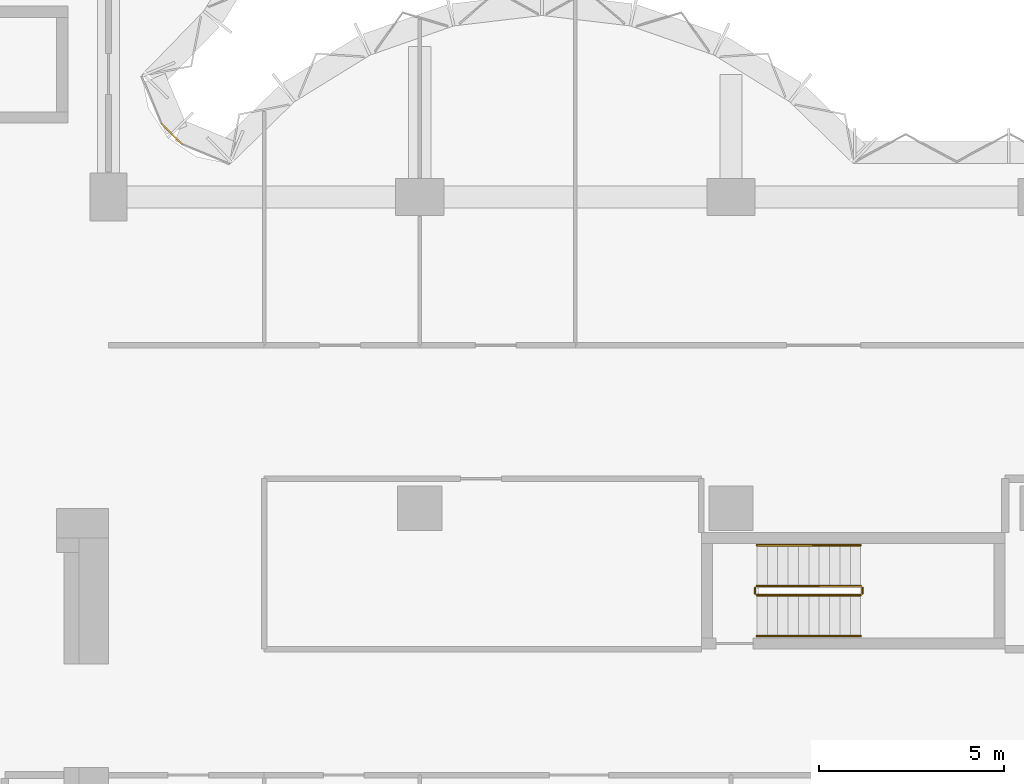
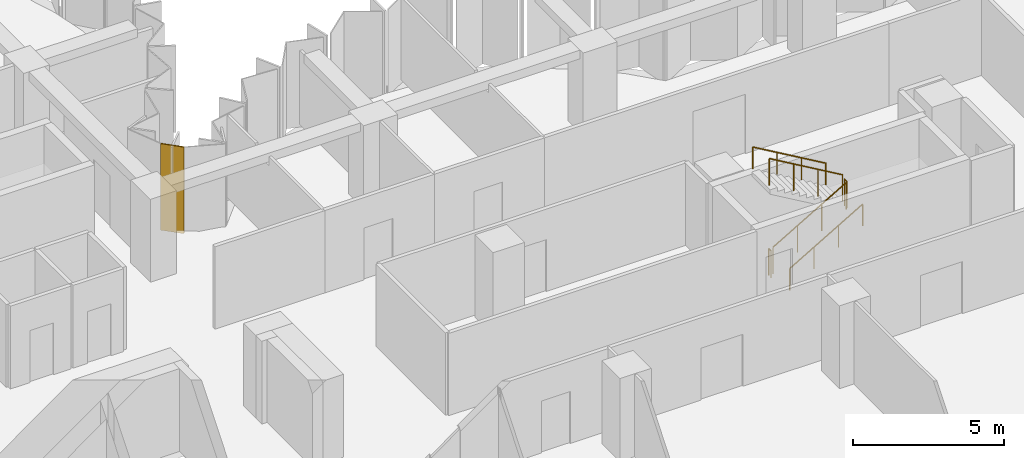
# One storey, part 13 of 13: 6 railings, 1 covering, 1 element without a shape of its own.
"""IFC4 building model written with IfcOpenShell, lengths in metres."""

import ifcopenshell
import ifcopenshell.guid

model = None  # the IFC model being written
_history = None  # IfcOwnerHistory: only IFC2X3 demands one
_inside = {}  # id of a spatial element -> (the spatial element, [elements in it])
_under = {}  # id of a project, library or spatial element -> (it, [spatial elements below it])
_declared = {}  # id of a project -> (the project, [libraries it declares])
_typed = {}  # id of a type object -> (the type object, [elements of that type])
_made_of = {}  # id of a material, layer set ... -> (it, [elements and type objects made of it])


def new_model(schema):
    """Start an empty IFC model of exactly this schema.

    Asked for "IFC4X3", IfcOpenShell would pick the latest addendum, in which some entities
    have other attributes; the version numbers below select the first issue.
    IFC2X3 requires an IfcOwnerHistory on every rooted entity: one is made here for all.
    """
    global model, _history
    if schema == "IFC4X3":
        model = ifcopenshell.file(schema_version=(4, 3, 0, 0))
    else:
        model = ifcopenshell.file(schema=schema)
    _inside.clear()
    _under.clear()
    _declared.clear()
    _typed.clear()
    _made_of.clear()
    _history = None
    if model.schema == "IFC2X3":
        org = make("IfcOrganization", Name="unknown")
        user = make(
            "IfcPersonAndOrganization",
            ThePerson=make("IfcPerson", FamilyName="unknown"),
            TheOrganization=org,
        )
        app = make(
            "IfcApplication",
            ApplicationDeveloper=org,
            Version="unknown",
            ApplicationFullName="unknown",
            ApplicationIdentifier="unknown",
        )
        _history = make(
            "IfcOwnerHistory",
            OwningUser=user,
            OwningApplication=app,
            ChangeAction="ADDED",
            CreationDate=0,
        )
    return model


def make(cls, **values):
    """One entity of the class cls with the attributes given. An attribute that is None is left unset."""
    return model.create_entity(
        cls, **{name: value for name, value in values.items() if value is not None}
    )


def rooted(cls, **values):
    """An entity with a GlobalId (a new one), such as an element, a storey or a relation."""
    return make(cls, GlobalId=ifcopenshell.guid.new(), OwnerHistory=_history, **values)


def si_unit(unit_type, name, prefix=None):
    """IfcSIUnit, for example si_unit("LENGTHUNIT", "METRE", prefix="MILLI")."""
    return make("IfcSIUnit", UnitType=unit_type, Prefix=prefix, Name=name)


def assignment(units):
    """IfcUnitAssignment: the units of a project."""
    return None if units is None else make("IfcUnitAssignment", Units=units)


def point(xyz):
    """IfcCartesianPoint."""
    return None if xyz is None else make("IfcCartesianPoint", Coordinates=xyz)


def direction(xyz):
    """IfcDirection."""
    return None if xyz is None else make("IfcDirection", DirectionRatios=xyz)


def frame(location, z_axis=None, x_axis=None):
    """IfcAxis2Placement3D, a coordinate frame: its origin and axes. An axis left out is left unset."""
    return make(
        "IfcAxis2Placement3D",
        Location=point(location),
        Axis=direction(z_axis),
        RefDirection=direction(x_axis),
    )


def frame_2d(location, x_axis=None):
    """IfcAxis2Placement2D, a coordinate frame in the plane: its origin and x axis."""
    return make(
        "IfcAxis2Placement2D", Location=point(location), RefDirection=direction(x_axis)
    )


def origin():
    """The frame at (0, 0, 0) with its axes left unset."""
    return frame((0.0, 0.0, 0.0))


def origin_2d():
    """The frame at (0, 0) in the plane with its x axis left unset."""
    return frame_2d((0.0, 0.0))


def place(relative_to, where):
    """IfcLocalPlacement: puts the frame where relative to a parent placement (None: the world)."""
    return make(
        "IfcLocalPlacement", PlacementRelTo=relative_to, RelativePlacement=where
    )


def context(
    kind, dimensions, precision=None, world=None, true_north=None, identifier=None
):
    """IfcGeometricRepresentationContext, for example the 3D "Model" context."""
    return make(
        "IfcGeometricRepresentationContext",
        ContextIdentifier=identifier,
        ContextType=kind,
        CoordinateSpaceDimension=dimensions,
        Precision=precision,
        WorldCoordinateSystem=world,
        TrueNorth=true_north,
    )


def subcontext(parent, identifier, kind, view, scale=None):
    """IfcGeometricRepresentationSubContext, for example "Body" below "Model"."""
    return make(
        "IfcGeometricRepresentationSubContext",
        ContextIdentifier=identifier,
        ContextType=kind,
        ParentContext=parent,
        TargetScale=scale,
        TargetView=view,
    )


def project(units=None, contexts=None):
    """IfcProject with its units and contexts."""
    return rooted(
        "IfcProject",
        Name="project",
        RepresentationContexts=contexts,
        UnitsInContext=assignment(units),
    )


def spatial(cls, under=None, at=None, **own):
    """A site, building, storey or space (cls), placed at a placement, below another one or the project."""
    s = rooted(cls, ObjectPlacement=at, **own)
    if under is not None:
        _under.setdefault(under.id(), (under, []))[1].append(s)
    return s


def polyline(points):
    """IfcPolyline through the points."""
    return make("IfcPolyline", Points=[point(p) for p in points])


def profile(cls, at=None, kind="AREA", **sizes):
    """A parametric profile (cls). Its sizes go by their IFC names, for example OverallWidth=200.0."""
    return make(cls, ProfileType=kind, Position=at, **sizes)


def circle(**sizes):
    """IfcCircleProfileDef."""
    return profile("IfcCircleProfileDef", **sizes)


def outline(outer, holes=None, kind="AREA"):
    """IfcArbitraryClosedProfileDef: a profile drawn as a closed curve; with holes, ...WithVoids."""
    if holes is None:
        return make("IfcArbitraryClosedProfileDef", ProfileType=kind, OuterCurve=outer)
    return make(
        "IfcArbitraryProfileDefWithVoids",
        ProfileType=kind,
        OuterCurve=outer,
        InnerCurves=holes,
    )


def extrude(swept, where, along, depth):
    """IfcExtrudedAreaSolid: the profile swept, set in the frame where, extruded along a direction by depth."""
    return make(
        "IfcExtrudedAreaSolid",
        SweptArea=swept,
        Position=where,
        ExtrudedDirection=direction(along),
        Depth=depth,
    )


def shape(context_of_items, identifier, shape_type, items):
    """IfcShapeRepresentation: the items that make up one representation, for example the "Body"."""
    return make(
        "IfcShapeRepresentation",
        ContextOfItems=context_of_items,
        RepresentationIdentifier=identifier,
        RepresentationType=shape_type,
        Items=items,
    )


def material(Name=None, Category=None):
    """IfcMaterial."""
    return make("IfcMaterial", Name=Name, Category=Category)


def layer(
    of_material, thickness, ventilated=None, Name=None, Category=None, Priority=None
):
    """IfcMaterialLayer: one layer of a wall or slab, of a material (None: an air gap)."""
    return make(
        "IfcMaterialLayer",
        Material=of_material,
        LayerThickness=thickness,
        IsVentilated=ventilated,
        Name=Name,
        Category=Category,
        Priority=Priority,
    )


def layer_set(layers, Name=None):
    """IfcMaterialLayerSet."""
    return make("IfcMaterialLayerSet", MaterialLayers=layers, LayerSetName=Name)


def made_of(thing, what):
    """Note that an element or type object is made of a material, layer set ...; save() writes the relation."""
    if what is not None:
        _made_of.setdefault(what.id(), (what, []))[1].append(thing)
    return thing


def type_object(cls, material=None, **own):
    """A type object (cls), such as IfcWallType, which elements share."""
    return made_of(rooted(cls, **own), material)


def element(
    cls,
    number,
    at=None,
    inside=None,
    cuts=None,
    type_object=None,
    material=None,
    context=None,
    identifier="Body",
    shape_type=None,
    held_by="IfcProductDefinitionShape",
    body=None,
    shapes=None,
    **own,
):
    """One element of the class cls, such as IfcWall. Its Tag is "e" and its number.

    at: its placement. inside: the storey or other place that contains it. cuts: it is an
    opening in that element (IfcRelVoidsElement). A single representation is given by context,
    identifier, shape_type and body (its items); several are given by shapes. held_by: the class
    of the entity that holds the representations. save() writes the other relations.
    """
    e = rooted(cls, Tag="e%d" % number, ObjectPlacement=at, **own)
    if body is not None:
        shapes = [shape(context, identifier, shape_type, body)]
    if shapes is not None:
        e.Representation = make(held_by, Representations=shapes)
    if inside is not None:
        _inside.setdefault(inside.id(), (inside, []))[1].append(e)
    if cuts is not None:
        rooted(
            "IfcRelVoidsElement", RelatingBuildingElement=cuts, RelatedOpeningElement=e
        )
    if type_object is not None:
        _typed.setdefault(type_object.id(), (type_object, []))[1].append(e)
    return made_of(e, material)


def aggregate(whole, parts):
    """IfcRelAggregates: a whole, such as a stair, and the parts it consists of."""
    return rooted("IfcRelAggregates", RelatingObject=whole, RelatedObjects=parts)


def save(model, path):
    """Write the relations noted so far, then the file.

    IfcRelAggregates (storeys below a building ...), IfcRelContainedInSpatialStructure (elements
    in a storey), IfcRelDefinesByType, IfcRelAssociatesMaterial and IfcRelDeclares: one each for
    every whole, place, type object, material and project.
    """
    for whole, parts in _under.values():
        aggregate(whole, parts)
    for where, things in _inside.values():
        rooted(
            "IfcRelContainedInSpatialStructure",
            RelatedElements=things,
            RelatingStructure=where,
        )
    for kind, things in _typed.values():
        rooted("IfcRelDefinesByType", RelatedObjects=things, RelatingType=kind)
    for what, things in _made_of.values():
        rooted("IfcRelAssociatesMaterial", RelatedObjects=things, RelatingMaterial=what)
    for by, libraries in _declared.values():
        rooted("IfcRelDeclares", RelatingContext=by, RelatedDefinitions=libraries)
    model.write(path)


model = new_model("IFC4")

# Units and contexts
model_context = context("Model", 3, precision=1e-05, world=origin(), true_north=direction((0.0, 1.0)))
body_context = subcontext(model_context, "Body", "Model", "MODEL_VIEW")
ifc_project = project(units=[si_unit("LENGTHUNIT", "METRE"), si_unit("AREAUNIT", "SQUARE_METRE"), si_unit("VOLUMEUNIT", "CUBIC_METRE"), si_unit("PLANEANGLEUNIT", "RADIAN"), si_unit("MASSUNIT", "GRAM", prefix="KILO")], contexts=[model_context])

# Site, building, storey
site_placement = place(None, origin())
site = spatial("IfcSite", under=ifc_project, at=site_placement, CompositionType="ELEMENT")
building_placement = place(site_placement, origin())
building = spatial("IfcBuilding", under=site, at=building_placement, Name="Brevane Broadcast Tower", CompositionType="ELEMENT")
storey_placement = place(building_placement, frame((0.0, 0.0, 120.5)))
storey = spatial("IfcBuildingStorey", under=building, at=storey_placement, Name="L29", CompositionType="ELEMENT", Elevation=120.5)

# Railings
ifc_material_1 = material(Name="Steel S355", Category="steel")
railing_type_1 = type_object("IfcRailingType", Name="Exit stair guard", PredefinedType="GUARDRAIL", material=ifc_material_1)
railing_1_placement = place(storey_placement, frame((42.699951171875, 14.449951171875, 0.16357421875)))
element("IfcRailing", 1, at=railing_1_placement, inside=storey, type_object=railing_type_1, Name="L29 ST-4 stair guard 1", PredefinedType="GUARDRAIL", context=body_context, shape_type="SweptSolid", body=[
    extrude(circle(Radius=0.02392578125, at=origin_2d()), frame((0.0, 0.0, 1.076171875), z_axis=(0.863360870873, 0.0, 0.504586966384), x_axis=(0.0, 1.0, 0.0)), (0.0, 0.0, 1.0), 3.2431640625),
    extrude(circle(Radius=0.02099609375, at=origin_2d()), origin(), (0.0, 0.0, 1.0), 1.052001953125),
    extrude(circle(Radius=0.02099609375, at=origin_2d()), frame((0.933349609375, 0.0, 0.54541015625)), (0.0, 0.0, 1.0), 1.052001953125),
    extrude(circle(Radius=0.02099609375, at=origin_2d()), frame((1.86669921875, 0.0, 1.091064453125)), (0.0, 0.0, 1.0), 1.052001953125),
    extrude(circle(Radius=0.02099609375, at=origin_2d()), frame((2.800048828125, 0.0, 1.636474609375)), (0.0, 0.0, 1.0), 1.052001953125),
])
railing_2_placement = place(storey_placement, frame((45.550048828125, 14.5, 1.800048828125)))
element("IfcRailing", 2, at=railing_2_placement, inside=storey, type_object=railing_type_1, Name="L29 ST-4 stair guard 2", PredefinedType="GUARDRAIL", context=body_context, shape_type="SweptSolid", body=[
    extrude(circle(Radius=0.02392578125, at=origin_2d()), frame((0.0, 0.0, 1.076171875), z_axis=(0.0, 1.0, 0.0), x_axis=(-1.0, 0.0, 0.0)), (0.0, 0.0, 1.0), 0.14990234375),
    extrude(circle(Radius=0.02099609375, at=origin_2d()), origin(), (0.0, 0.0, 1.0), 1.052001953125),
    extrude(circle(Radius=0.02099609375, at=origin_2d()), frame((0.0, 0.14990234375, 0.0)), (0.0, 0.0, 1.0), 1.052001953125),
])
railing_3_placement = place(storey_placement, frame((45.5, 14.699951171875, 1.963623046875)))
element("IfcRailing", 3, at=railing_3_placement, inside=storey, type_object=railing_type_1, Name="L29 ST-4 stair guard 3", PredefinedType="GUARDRAIL", context=body_context, shape_type="SweptSolid", body=[
    extrude(circle(Radius=0.02392578125, at=origin_2d()), frame((0.0, 0.0, 1.076171875), z_axis=(-0.863360870873, 0.0, 0.504586966384), x_axis=(0.0, -1.0, 0.0)), (0.0, 0.0, 1.0), 3.2431640625),
    extrude(circle(Radius=0.02099609375, at=origin_2d()), origin(), (0.0, 0.0, 1.0), 1.052001953125),
    extrude(circle(Radius=0.02099609375, at=origin_2d()), frame((-0.933349609375, 0.0, 0.54541015625)), (0.0, 0.0, 1.0), 1.052001953125),
    extrude(circle(Radius=0.02099609375, at=origin_2d()), frame((-1.86669921875, 0.0, 1.091064453125)), (0.0, 0.0, 1.0), 1.052001953125),
    extrude(circle(Radius=0.02099609375, at=origin_2d()), frame((-2.800048828125, 0.0, 1.636474609375)), (0.0, 0.0, 1.0), 1.052001953125),
])
railing_4_placement = place(storey_placement, frame((42.64990234375, 14.5, 0.0)))
element("IfcRailing", 4, at=railing_4_placement, inside=storey, type_object=railing_type_1, Name="L29 ST-4 stair guard 4", PredefinedType="GUARDRAIL", context=body_context, shape_type="SweptSolid", body=[
    extrude(circle(Radius=0.02392578125, at=origin_2d()), frame((0.0, 0.0, 1.076171875), z_axis=(0.0, 1.0, 0.0), x_axis=(-1.0, 0.0, 0.0)), (0.0, 0.0, 1.0), 0.14990234375),
    extrude(circle(Radius=0.02099609375, at=origin_2d()), origin(), (0.0, 0.0, 1.0), 1.052001953125),
    extrude(circle(Radius=0.02099609375, at=origin_2d()), frame((0.0, 0.14990234375, 0.0)), (0.0, 0.0, 1.0), 1.052001953125),
])
railing_type_2 = type_object("IfcRailingType", Name="Exit stair handrail", PredefinedType="HANDRAIL", material=ifc_material_1)
railing_5_placement = place(storey_placement, frame((42.699951171875, 13.35009765625, 0.16357421875)))
element("IfcRailing", 5, at=railing_5_placement, inside=storey, type_object=railing_type_2, Name="L29 ST-4 stair handrail 1", PredefinedType="HANDRAIL", context=body_context, shape_type="SweptSolid", body=[
    extrude(circle(Radius=0.02392578125, at=origin_2d()), frame((0.0, 0.0, 0.8759765625), z_axis=(0.863360870873, 0.0, 0.504586966384), x_axis=(0.0, 1.0, 0.0)), (0.0, 0.0, 1.0), 3.2431640625),
    extrude(circle(Radius=0.02099609375, at=origin_2d()), origin(), (0.0, 0.0, 1.0), 0.851806640625),
    extrude(circle(Radius=0.02099609375, at=origin_2d()), frame((0.933349609375, 0.0, 0.54541015625)), (0.0, 0.0, 1.0), 0.851806640625),
    extrude(circle(Radius=0.02099609375, at=origin_2d()), frame((1.86669921875, 0.0, 1.091064453125)), (0.0, 0.0, 1.0), 0.851806640625),
    extrude(circle(Radius=0.02099609375, at=origin_2d()), frame((2.800048828125, 0.0, 1.636474609375)), (0.0, 0.0, 1.0), 0.851806640625),
])
railing_6_placement = place(storey_placement, frame((45.5, 15.800048828125, 1.963623046875)))
element("IfcRailing", 6, at=railing_6_placement, inside=storey, type_object=railing_type_2, Name="L29 ST-4 stair handrail 2", PredefinedType="HANDRAIL", context=body_context, shape_type="SweptSolid", body=[
    extrude(circle(Radius=0.02392578125, at=origin_2d()), frame((0.0, 0.0, 0.8759765625), z_axis=(-0.863360870873, 0.0, 0.504586966384), x_axis=(0.0, -1.0, 0.0)), (0.0, 0.0, 1.0), 3.2431640625),
    extrude(circle(Radius=0.02099609375, at=origin_2d()), origin(), (0.0, 0.0, 1.0), 0.851806640625),
    extrude(circle(Radius=0.02099609375, at=origin_2d()), frame((-0.933349609375, 0.0, 0.54541015625)), (0.0, 0.0, 1.0), 0.851806640625),
    extrude(circle(Radius=0.02099609375, at=origin_2d()), frame((-1.86669921875, 0.0, 1.091064453125)), (0.0, 0.0, 1.0), 0.851806640625),
    extrude(circle(Radius=0.02099609375, at=origin_2d()), frame((-2.800048828125, 0.0, 1.636474609375)), (0.0, 0.0, 1.0), 0.851806640625),
])

# Curtain wall, covering
ifc_material_2 = material(Name="Aluminium 6063-T6 bronze anodised", Category="aluminium")
curtain_wall_type = type_object("IfcCurtainWallType", Name="CW-1 curtain wall", PredefinedType="NOTDEFINED", material=ifc_material_2)
curtain_wall_placement = place(storey_placement, origin())
curtain_wall = element("IfcCurtainWall", 7, at=curtain_wall_placement, inside=storey, type_object=curtain_wall_type, Name="CW-1 typical tilted unit L29 inner corner", PredefinedType="NOTDEFINED")
ifc_material_3 = material(Name="Back-painted bronze glass shadow-box", Category="glass")
ifc_layer = layer(ifc_material_3, 0.0400390625)
ifc_layer_set = layer_set([ifc_layer], Name="Shadow-box panel 40")
covering_type = type_object("IfcCoveringType", Name="Shadow-box panel 40", PredefinedType="CLADDING", material=ifc_layer_set)
covering_placement = place(storey_placement, frame((0.0, 0.0, -0.14990234375)))
covering = element("IfcCovering", 8, at=covering_placement, type_object=covering_type, Name="Closure panel", PredefinedType="CLADDING", context=body_context, shape_type="SweptSolid", body=[
    extrude(outline(polyline([(27.17138671875, 26.60498046875), (27.2021484375, 26.635498046875), (26.635498046875, 27.2021484375), (26.60498046875, 27.17138671875), (27.17138671875, 26.60498046875)])), origin(), (0.0, 0.0, 1.0), 3.5),
])
aggregate(curtain_wall, [covering])

save(model, "model.ifc")
